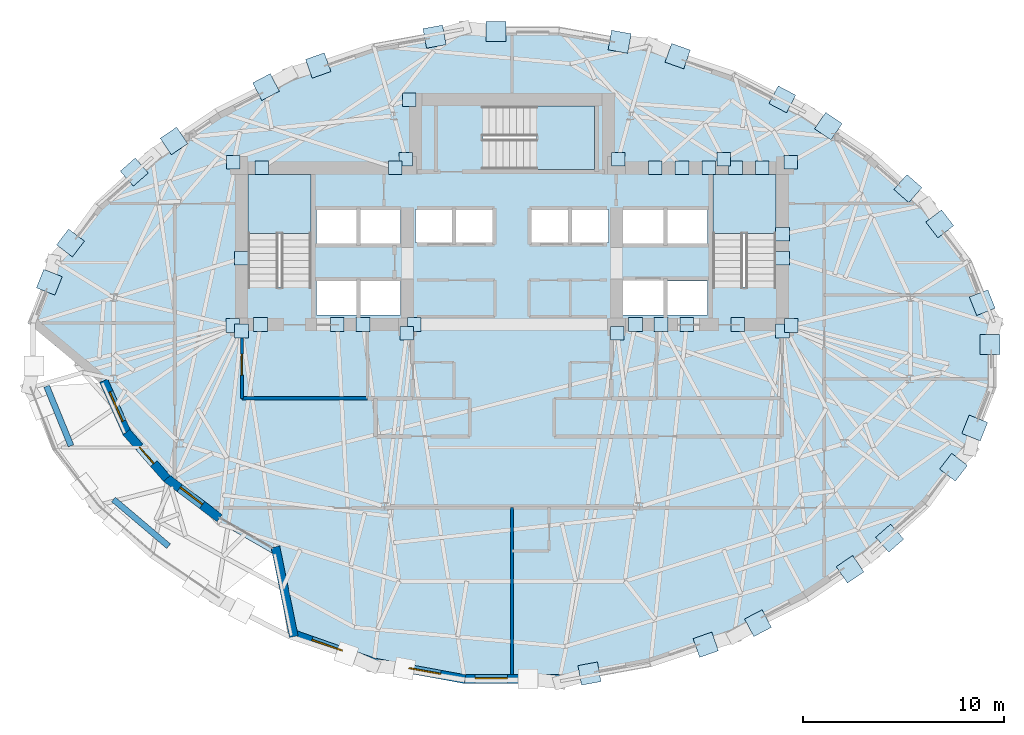
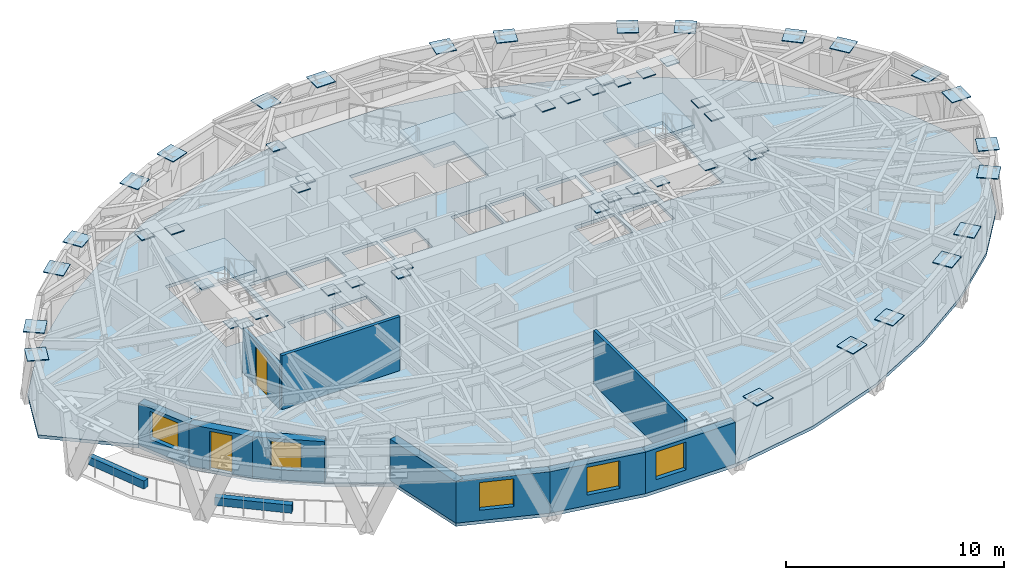
# One storey, part 6 of 15: 53 plates, 12 walls, 5 windows, 4 slabs, 2 doors, 7 openings, 3 elements without a shape of their own.
"""IFC4 building model written with IfcOpenShell, lengths in metres."""

from ifc_helpers import new_model, si_unit, direction, frame, frame_2d, origin, origin_2d, place, context, subcontext, project, spatial, polyline, rectangle, outline, extrude, material, layer, layer_set, type_object, element, fill, aggregate, save


model = new_model("IFC4")

# Units and contexts
model_context = context("Model", 3, precision=1e-05, world=origin(), true_north=direction((0.0, 1.0)))
body_context = subcontext(model_context, "Body", "Model", "MODEL_VIEW")
ifc_project = project(units=[si_unit("LENGTHUNIT", "METRE"), si_unit("AREAUNIT", "SQUARE_METRE"), si_unit("VOLUMEUNIT", "CUBIC_METRE"), si_unit("PLANEANGLEUNIT", "RADIAN"), si_unit("MASSUNIT", "GRAM", prefix="KILO")], contexts=[model_context])

# Site, building, storey
site_placement = place(None, origin())
site = spatial("IfcSite", under=ifc_project, at=site_placement, CompositionType="ELEMENT")
building_placement = place(site_placement, origin())
building = spatial("IfcBuilding", under=site, at=building_placement, Name="Keldmark Tower", CompositionType="ELEMENT")
storey_placement = place(building_placement, frame((0.0, 0.0, 195.0)))
storey = spatial("IfcBuildingStorey", under=building, at=storey_placement, Name="L54", CompositionType="ELEMENT", Elevation=195.0)

# Plates
ifc_material_1 = material(Name="Steel ASTM A572 Grade 50", Category="steel")
ifc_layer_1 = layer(ifc_material_1, 0.06005859375)
ifc_layer_set_1 = layer_set([ifc_layer_1], Name="Steel ASTM A572 Grade 50")
plate_type_1 = type_object("IfcPlateType", Name="Belt Truss Kink Node Assembly KN01 60 mm", PredefinedType="USERDEFINED", material=ifc_layer_set_1)
for number, where, z_axis, x_axis, name in (
    (1, (13.91162109375, 1.473388671875, 2.72412109375), (0.0, 0.0, 1.0), (1.0, 0.0, 0.0), "L54 Core Wall Cast-In Embed Plate 1587"),
    (2, (13.878173828125, 9.608154296875, 2.72412109375), (0.0, 0.0, 1.0), (1.0, 0.0, 0.0), "L54 Core Wall Cast-In Embed Plate 1588"),
    (3, (5.28515625, 9.758544921875, 2.72412109375), (0.0, 0.0, 1.0), (1.0, 0.0, 0.0), "L54 Core Wall Cast-In Embed Plate 1589"),
    (4, (-5.28515625, 9.758544921875, 2.72412109375), (0.0, 0.0, 1.0), (1.0, 0.0, 0.0), "L54 Core Wall Cast-In Embed Plate 1590"),
    (5, (-13.878173828125, 9.608154296875, 2.72412109375), (0.0, 0.0, 1.0), (1.0, 0.0, 0.0), "L54 Core Wall Cast-In Embed Plate 1591"),
    (6, (-13.91162109375, 1.473388671875, 2.72412109375), (0.0, 0.0, 1.0), (1.0, 0.0, 0.0), "L54 Core Wall Cast-In Embed Plate 1592"),
    (7, (-5.24072265625, 1.08251953125, 2.72412109375), (0.0, 0.0, 1.0), (1.0, 0.0, 0.0), "L54 Core Wall Cast-In Embed Plate 1593"),
    (8, (5.24072265625, 1.08251953125, 2.72412109375), (0.0, 0.0, 1.0), (1.0, 0.0, 0.0), "L54 Core Wall Cast-In Embed Plate 1594"),
    (9, (-13.47509765625, 1.199951171875, 2.72412109375), (0.0, 0.0, 1.0), (1.0, 0.0, 0.0), "L54 Core Wall Cast-In Embed Plate 1595"),
    (10, (-7.425048828125, 1.52490234375, 2.72412109375), (0.0, 0.0, 1.0), (1.0, 0.0, 0.0), "L54 Core Wall Cast-In Embed Plate 1596"),
    (11, (7.425048828125, 1.52490234375, 2.72412109375), (0.0, 0.0, 1.0), (1.0, 0.0, 0.0), "L54 Core Wall Cast-In Embed Plate 1597"),
    (12, (13.47509765625, 1.199951171875, 2.72412109375), (0.0, 0.0, 1.0), (1.0, 0.0, 0.0), "L54 Core Wall Cast-In Embed Plate 1598"),
    (13, (-8.699951171875, 1.52490234375, 2.72412109375), (0.0, 0.0, 1.0), (1.0, 0.0, 0.0), "L54 Core Wall Cast-In Embed Plate 1599"),
    (14, (13.47509765625, 4.8212890625, 2.72412109375), (0.0, 0.0, 1.0), (1.0, 0.0, 0.0), "L54 Core Wall Cast-In Embed Plate 1600"),
    (15, (13.47509765625, 6.028564453125, 2.72412109375), (0.0, 0.0, 1.0), (1.0, 0.0, 0.0), "L54 Core Wall Cast-In Embed Plate 1601"),
    (16, (9.8037109375, 9.324951171875, 2.72412109375), (0.0, 0.0, 1.0), (1.0, 0.0, 0.0), "L54 Core Wall Cast-In Embed Plate 1602"),
    (17, (10.542724609375, 9.751708984375, 2.72412109375), (0.0, 0.0, 1.0), (1.0, 0.0, 0.0), "L54 Core Wall Cast-In Embed Plate 1603"),
    (18, (7.139404296875, 9.324951171875, 2.72412109375), (0.0, 0.0, 1.0), (1.0, 0.0, 0.0), "L54 Core Wall Cast-In Embed Plate 1604"),
    (19, (12.468017578125, 9.324951171875, 2.72412109375), (0.0, 0.0, 1.0), (1.0, 0.0, 0.0), "L54 Core Wall Cast-In Embed Plate 1605"),
    (20, (-5.80712890625, 9.324951171875, 2.72412109375), (0.0, 0.0, 1.0), (1.0, 0.0, 0.0), "L54 Core Wall Cast-In Embed Plate 1606"),
    (21, (-5.125, 12.72509765625, 2.72412109375), (0.0, 0.0, 1.0), (1.0, 0.0, 0.0), "L54 Core Wall Cast-In Embed Plate 1607"),
    (22, (-13.47509765625, 4.8212890625, 2.72412109375), (0.0, 0.0, 1.0), (1.0, 0.0, 0.0), "L54 Core Wall Cast-In Embed Plate 1608"),
    (23, (-12.52490234375, 1.52490234375, 2.72412109375), (0.0, 0.0, 1.0), (1.0, 0.0, 0.0), "L54 Core Wall Cast-In Embed Plate 1609"),
    (24, (-4.875, 1.52490234375, 2.72412109375), (0.0, 0.0, 1.0), (1.0, 0.0, 0.0), "L54 Core Wall Cast-In Embed Plate 1610"),
    (25, (6.14990234375, 1.52490234375, 2.72412109375), (0.0, 0.0, 1.0), (1.0, 0.0, 0.0), "L54 Core Wall Cast-In Embed Plate 1611"),
    (26, (8.699951171875, 1.52490234375, 2.72412109375), (0.0, 0.0, 1.0), (1.0, 0.0, 0.0), "L54 Core Wall Cast-In Embed Plate 1612"),
    (27, (11.25, 1.52490234375, 2.72412109375), (0.0, 0.0, 1.0), (1.0, 0.0, 0.0), "L54 Core Wall Cast-In Embed Plate 1613"),
    (28, (11.1357421875, 9.324951171875, 2.72412109375), (0.0, 0.0, 1.0), (1.0, 0.0, 0.0), "L54 Core Wall Cast-In Embed Plate 1614"),
    (29, (8.471435546875, 9.324951171875, 2.72412109375), (0.0, 0.0, 1.0), (1.0, 0.0, 0.0), "L54 Core Wall Cast-In Embed Plate 1615"),
    (30, (-12.468017578125, 9.324951171875, 2.72412109375), (0.0, 0.0, 1.0), (1.0, 0.0, 0.0), "L54 Core Wall Cast-In Embed Plate 1616"),
):
    element("IfcPlate", number, at=place(storey_placement, frame(where, z_axis=z_axis, x_axis=x_axis)), inside=storey, type_object=plate_type_1, Name=name, ObjectType="CAP PLATE", PredefinedType="USERDEFINED", context=body_context, shape_type="SweptSolid", body=[
        extrude(rectangle(XDim=0.679931640625, YDim=0.679931640625, at=origin_2d()), origin(), (0.0, 0.0, 1.0), 0.054931640625),
    ])
ifc_material_2 = material(Name="Steel ASTM A572 Grade 50", Category="steel")
ifc_layer_2 = layer(ifc_material_2, 0.044921875)
ifc_layer_set_2 = layer_set([ifc_layer_2], Name="Steel ASTM A572 Grade 50")
plate_type_2 = type_object("IfcPlateType", Name="Diagrid Node Assembly DN04 45 mm", PredefinedType="USERDEFINED", material=ifc_layer_set_2)
for number, where, z_axis, x_axis, name in (
    (31, (23.425048828125, 2.6142578125, 2.87744140625), (0.0, 0.0, 1.0), (-0.369584587417, 0.929197090365, 0.0), "L54 Diagrid Node Assembly 01"),
    (32, (21.306396484375, 6.537109375, 2.87744140625), (0.0, 0.0, 1.0), (-0.608622953458, 0.79345957712, 0.0), "L54 Diagrid Node Assembly 02"),
    (33, (19.718994140625, 8.29736328125, 2.87744140625), (0.0, 0.0, 1.0), (-0.751954873581, 0.659214584257, 0.0), "L54 Diagrid Node Assembly 03"),
    (34, (15.75732421875, 11.40380859375, 2.87744140625), (0.0, 0.0, 1.0), (-0.827668733006, 0.561216953062, 0.0), "L54 Diagrid Node Assembly 04"),
    (35, (13.467529296875, 12.740478515625, 2.87744140625), (0.0, 0.0, 1.0), (-0.885717930931, 0.464223811138, 0.0), "L54 Diagrid Node Assembly 05"),
    (36, (8.252685546875, 14.892578125, 2.87744140625), (0.0, 0.0, 1.0), (-0.943106654378, 0.33249035846, 0.0), "L54 Diagrid Node Assembly 06"),
    (37, (5.36181640625, 15.60693359375, 2.87744140625), (0.0, 0.0, 1.0), (-0.983697257251, 0.179832438891, 0.0), "L54 Diagrid Node Assembly 07"),
    (38, (-0.789306640625, 16.119384765625, 2.87744140625), (0.0, 0.0, 1.0), (-1.0, 0.0, 0.0), "L54 Diagrid Node Assembly 08"),
    (39, (-3.85888671875, 15.862060546875, 2.87744140625), (0.0, 0.0, 1.0), (-0.983697257251, -0.179832438891, 0.0), "L54 Diagrid Node Assembly 09"),
    (40, (-9.650634765625, 14.426513671875, 2.87744140625), (0.0, 0.0, 1.0), (-0.943106654378, -0.33249035846, 0.0), "L54 Diagrid Node Assembly 10"),
    (41, (-12.252197265625, 13.351806640625, 2.87744140625), (0.0, 0.0, 1.0), (-0.885717930931, -0.464223811138, 0.0), "L54 Diagrid Node Assembly 11"),
    (42, (-16.83837890625, 10.66796875, 2.87744140625), (0.0, 0.0, 1.0), (-0.827668733006, -0.561216953062, 0.0), "L54 Diagrid Node Assembly 12"),
    (43, (-18.814208984375, 9.118408203125, 2.87744140625), (0.0, 0.0, 1.0), (-0.751954873581, -0.659214584257, 0.0), "L54 Diagrid Node Assembly 13"),
    (44, (-21.99169921875, 5.5859375, 2.87744140625), (0.0, 0.0, 1.0), (-0.608622953458, -0.79345957712, 0.0), "L54 Diagrid Node Assembly 14"),
    (45, (-23.047607421875, 3.629638671875, 2.87744140625), (0.0, 0.0, 1.0), (-0.369584587417, -0.929197090365, 0.0), "L54 Diagrid Node Assembly 15"),
    (46, (3.85888671875, -15.862060546875, 2.87744140625), (0.0, 0.0, 1.0), (0.983697257251, 0.179832438891, 0.0), "L54 Diagrid Node Assembly 25"),
    (47, (9.650634765625, -14.426513671875, 2.87744140625), (0.0, 0.0, 1.0), (0.943106654378, 0.33249035846, 0.0), "L54 Diagrid Node Assembly 26"),
    (48, (12.252197265625, -13.351806640625, 2.87744140625), (0.0, 0.0, 1.0), (0.885717930931, 0.464223811138, 0.0), "L54 Diagrid Node Assembly 27"),
    (49, (16.83837890625, -10.66796875, 2.87744140625), (0.0, 0.0, 1.0), (0.827668733006, 0.561216953062, 0.0), "L54 Diagrid Node Assembly 28"),
    (50, (18.814208984375, -9.118408203125, 2.87744140625), (0.0, 0.0, 1.0), (0.751954873581, 0.659214584257, 0.0), "L54 Diagrid Node Assembly 29"),
    (51, (21.99169921875, -5.5859375, 2.87744140625), (0.0, 0.0, 1.0), (0.608622953458, 0.79345957712, 0.0), "L54 Diagrid Node Assembly 30"),
    (52, (23.047607421875, -3.629638671875, 2.87744140625), (0.0, 0.0, 1.0), (0.369584587417, 0.929197090365, 0.0), "L54 Diagrid Node Assembly 31"),
    (53, (23.8046875, 0.537109375, 2.87744140625), (0.0, 0.0, 1.0), (0.0, 1.0, 0.0), "L54 Diagrid Node Assembly 32"),
):
    element("IfcPlate", number, at=place(storey_placement, frame(where, z_axis=z_axis, x_axis=x_axis)), inside=storey, type_object=plate_type_2, Name=name, ObjectType="GUSSET", PredefinedType="USERDEFINED", context=body_context, shape_type="SweptSolid", body=[
        extrude(rectangle(XDim=0.989990234375, YDim=0.989990234375, at=origin_2d()), origin(), (0.0, 0.0, 1.0), 0.044921875),
    ])

# Slab
ifc_material_3 = material(Name="Concrete C35/45", Category="concrete")
ifc_layer_3 = layer(ifc_material_3, 0.179931640625)
ifc_layer_set_3 = layer_set([ifc_layer_3], Name="Concrete C35/45")
slab_type_1 = type_object("IfcSlabType", Name="Hotel and Residential Slab 180 mm", PredefinedType="FLOOR", material=ifc_layer_set_3)
slab_1_placement = place(storey_placement, frame((0.0, 0.0, -0.179931640625)))
element("IfcSlab", 54, at=slab_1_placement, inside=storey, type_object=slab_type_1, Name="L54 Composite Structural Floor Slab", PredefinedType="FLOOR", context=body_context, shape_type="SweptSolid", body=[
    extrude(outline(polyline([(24.12890625, 1.611083984375), (22.896484375, 4.708740234375), (20.742919921875, 7.5166015625), (17.934814453125, 9.978759765625), (14.71875, 12.1591796875), (11.08740234375, 14.062744140625), (6.945556640625, 15.52294921875), (2.37646484375, 16.3583984375), (-2.37646484375, 16.3583984375), (-6.945556640625, 15.52294921875), (-11.08740234375, 14.062744140625), (-14.71875, 12.1591796875), (-17.934814453125, 9.978759765625), (-20.742919921875, 7.5166015625), (-22.896484375, 4.708740234375), (-24.12890625, 1.611083984375), (-20.536865234375, -1.371337890625), (-19.370361328125, -3.983642578125), (-17.3583984375, -6.290283203125), (-14.7890625, -8.228515625), (-11.943359375, -9.8662109375), (-11.08740234375, -14.062744140625), (-6.945556640625, -15.52294921875), (-2.37646484375, -16.3583984375), (2.37646484375, -16.3583984375), (6.945556640625, -15.52294921875), (11.08740234375, -14.062744140625), (14.71875, -12.1591796875), (17.934814453125, -9.978759765625), (20.742919921875, -7.5166015625), (22.896484375, -4.708740234375), (24.12890625, -1.611083984375), (24.12890625, 1.611083984375)]), holes=[polyline([(-10.0, 3.385009765625), (-10.0, 9.0), (-13.14990234375, 9.0), (-13.14990234375, 3.385009765625), (-10.0, 3.385009765625)]), polyline([(13.14990234375, 3.385009765625), (13.14990234375, 9.0), (10.0, 9.0), (10.0, 3.385009765625), (13.14990234375, 3.385009765625)]), polyline([(-1.43994140625, 9.25), (4.10498046875, 9.25), (4.10498046875, 12.39990234375), (-1.43994140625, 12.39990234375), (-1.43994140625, 9.25)]), polyline([(-9.75, 2.0), (-7.75, 2.0), (-7.75, 3.699951171875), (-9.75, 3.699951171875), (-9.75, 2.0)]), polyline([(7.75, 2.0), (9.75, 2.0), (9.75, 3.699951171875), (7.75, 3.699951171875), (7.75, 2.0)]), polyline([(5.449951171875, 2.0), (7.550048828125, 2.0), (7.550048828125, 3.75), (5.449951171875, 3.75), (5.449951171875, 2.0)]), polyline([(-4.800048828125, 5.60009765625), (-2.949951171875, 5.60009765625), (-2.949951171875, 7.25), (-4.800048828125, 7.25), (-4.800048828125, 5.60009765625)]), polyline([(-2.800048828125, 5.60009765625), (-0.949951171875, 5.60009765625), (-0.949951171875, 7.25), (-2.800048828125, 7.25), (-2.800048828125, 5.60009765625)]), polyline([(0.949951171875, 5.60009765625), (2.800048828125, 5.60009765625), (2.800048828125, 7.25), (0.949951171875, 7.25), (0.949951171875, 5.60009765625)]), polyline([(2.949951171875, 5.60009765625), (4.800048828125, 5.60009765625), (4.800048828125, 7.25), (2.949951171875, 7.25), (2.949951171875, 5.60009765625)]), polyline([(-9.75, 5.550048828125), (-7.75, 5.550048828125), (-7.75, 7.25), (-9.75, 7.25), (-9.75, 5.550048828125)]), polyline([(-7.550048828125, 5.550048828125), (-5.550048828125, 5.550048828125), (-5.550048828125, 7.25), (-7.550048828125, 7.25), (-7.550048828125, 5.550048828125)]), polyline([(-7.550048828125, 2.0), (-5.550048828125, 2.0), (-5.550048828125, 3.699951171875), (-7.550048828125, 3.699951171875), (-7.550048828125, 2.0)]), polyline([(5.449951171875, 5.550048828125), (7.550048828125, 5.550048828125), (7.550048828125, 7.25), (5.449951171875, 7.25), (5.449951171875, 5.550048828125)]), polyline([(7.75, 5.550048828125), (9.75, 5.550048828125), (9.75, 7.25), (7.75, 7.25), (7.75, 5.550048828125)])]), origin(), (0.0, 0.0, 1.0), 0.179931640625),
])

# Stair, slab
ifc_material_4 = material(Name="Concrete C40/50", Category="concrete")
stair_type = type_object("IfcStairType", Name="Precast Concrete Core Exit Stair", PredefinedType="HALF_TURN_STAIR", material=ifc_material_4)
stair_1_placement = place(storey_placement, origin())
stair_1 = element("IfcStair", 55, at=stair_1_placement, inside=storey, type_object=stair_type, Name="L54 Exit Stair ST1", PredefinedType="HALF_TURN_STAIR")
ifc_material_5 = material(Name="Concrete C40/50", Category="concrete")
ifc_layer_4 = layer(ifc_material_5, 0.199951171875)
ifc_layer_set_4 = layer_set([ifc_layer_4], Name="Concrete C40/50")
slab_type_2 = type_object("IfcSlabType", Name="Reinforced Concrete Stair Landing 200 mm", PredefinedType="LANDING", material=ifc_layer_set_4)
slab_2_placement = place(storey_placement, frame((0.0, 0.0, 1.39990234375)))
slab_2 = element("IfcSlab", 56, at=slab_2_placement, type_object=slab_type_2, Name="ST1 landing 1", PredefinedType="LANDING", context=body_context, shape_type="SweptSolid", body=[
    extrude(outline(polyline([(-10.0, 6.050048828125), (-10.0, 9.0), (-13.14990234375, 9.0), (-13.14990234375, 6.050048828125), (-10.0, 6.050048828125)])), origin(), (0.0, 0.0, 1.0), 0.2001953125),
])
aggregate(stair_1, [slab_2])

stair_2_placement = place(storey_placement, origin())
stair_2 = element("IfcStair", 57, at=stair_2_placement, inside=storey, type_object=stair_type, Name="L54 Exit Stair ST2", PredefinedType="HALF_TURN_STAIR")
slab_3_placement = place(storey_placement, frame((0.0, 0.0, 1.39990234375)))
slab_3 = element("IfcSlab", 58, at=slab_3_placement, type_object=slab_type_2, Name="ST2 landing 1", PredefinedType="LANDING", context=body_context, shape_type="SweptSolid", body=[
    extrude(outline(polyline([(13.14990234375, 6.050048828125), (13.14990234375, 9.0), (10.0, 9.0), (10.0, 6.050048828125), (13.14990234375, 6.050048828125)])), origin(), (0.0, 0.0, 1.0), 0.2001953125),
])
aggregate(stair_2, [slab_3])

stair_3_placement = place(storey_placement, origin())
stair_3 = element("IfcStair", 59, at=stair_3_placement, inside=storey, type_object=stair_type, Name="L54 Exit Stair ST3", PredefinedType="HALF_TURN_STAIR")
slab_4_placement = place(storey_placement, frame((0.0, 0.0, 1.39990234375)))
slab_4 = element("IfcSlab", 60, at=slab_4_placement, type_object=slab_type_2, Name="ST3 landing 1", PredefinedType="LANDING", context=body_context, shape_type="SweptSolid", body=[
    extrude(outline(polyline([(1.22509765625, 9.25), (4.10498046875, 9.25), (4.10498046875, 12.39990234375), (1.22509765625, 12.39990234375), (1.22509765625, 9.25)])), origin(), (0.0, 0.0, 1.0), 0.2001953125),
])
aggregate(stair_3, [slab_4])

# Wall
ifc_material_6 = material(Name="Type X Fire-Rated Gypsum Partition Assembly", Category="gypsum")
ifc_layer_5 = layer(ifc_material_6, 0.1650390625)
ifc_layer_set_5 = layer_set([ifc_layer_5], Name="Type X Fire-Rated Gypsum Partition Assembly")
wall_type_1 = type_object("IfcWallType", Name="Rated Partition 165 mm", PredefinedType="PARTITIONING", material=ifc_layer_set_5)
wall_1_placement = place(storey_placement, frame((-13.449951171875, -2.14990234375, 0.0), z_axis=(0.0, 0.0, 1.0), x_axis=(1.0, 0.0, 0.0)))
element("IfcWall", 61, at=wall_1_placement, inside=storey, type_object=wall_type_1, Name="L54 Rated Partition 165 mm FSAE-W-S", PredefinedType="PARTITIONING", context=body_context, shape_type="SweptSolid", body=[
    extrude(rectangle(XDim=6.25, YDim=0.1650390625, at=frame_2d((3.125, 0.0))), origin(), (0.0, 0.0, 1.0), 3.02001953125),
])

# Wall, opening, door
wall_2_placement = place(storey_placement, frame((-13.449951171875, -2.14990234375, 0.0), z_axis=(0.0, 0.0, 1.0), x_axis=(0.0, 1.0, 0.0)))
wall_2 = element("IfcWall", 62, at=wall_2_placement, inside=storey, type_object=wall_type_1, Name="L54 Rated Partition 165 mm FSAE-W-W", PredefinedType="PARTITIONING", context=body_context, shape_type="SweptSolid", body=[
    extrude(rectangle(XDim=3.39990234375, YDim=0.1650390625, at=frame_2d((1.699951171875, 0.0))), origin(), (0.0, 0.0, 1.0), 2.472900390625),
])
opening_1_placement = place(wall_2_placement, frame((1.14990234375, 0.0, 0.0)))
opening_1 = element("IfcOpeningElement", 63, at=opening_1_placement, cuts=wall_2, Name="Opening D-FL105", PredefinedType="OPENING", context=body_context, shape_type="SweptSolid", body=[
    extrude(rectangle(XDim=1.050048828125, YDim=2.14990234375, at=frame_2d((0.52490234375, 1.074951171875))), frame((0.0, 0.092529296875, 0.0), z_axis=(0.0, -1.0, 0.0), x_axis=(1.0, 0.0, 0.0)), (0.0, 0.0, 1.0), 0.18505859375),
])
ifc_material_7 = material(Name="Fire-Rated Mineral-Core Door and Vision Lite", Category="metal")
door_type_1 = type_object("IfcDoorType", Name="Fire Lobby Door 1050x2150", OperationType="NOTDEFINED", PredefinedType="DOOR", material=ifc_material_7)
door_1_placement = place(opening_1_placement, origin())
door_1 = element("IfcDoor", 64, at=door_1_placement, inside=storey, type_object=door_type_1, Name="L54 Fire Lobby Door 1050x2150 D-FSAEW-OUT-L54", OperationType="SINGLE_SWING_LEFT", OverallHeight=2.14990234375, OverallWidth=1.050048828125, PredefinedType="DOOR", context=body_context, shape_type="SweptSolid", body=[
    extrude(rectangle(XDim=1.050048828125, YDim=2.14990234375, at=frame_2d((0.52490234375, 1.074951171875))), frame((0.0, 0.02490234375, 0.0), z_axis=(0.0, -1.0, 0.0), x_axis=(1.0, 0.0, 0.0)), (0.0, 0.0, 1.0), 0.050048828125),
])
fill(opening_1, door_1)

# Walls
ifc_material_8 = material(Name="Ironspot Manganese Brick Planter Masonry", Category="masonry")
ifc_layer_6 = layer(ifc_material_8, 0.300048828125)
ifc_layer_set_6 = layer_set([ifc_layer_6], Name="Ironspot Manganese Brick Planter Masonry")
wall_type_2 = type_object("IfcWallType", Name="Terrace Brick Planter Kerb Wall 300 mm", PredefinedType="PARAPET", material=ifc_layer_set_6)
wall_3_placement = place(storey_placement, frame((-23.180908203125, -1.5478515625, 0.0), z_axis=(0.0, 0.0, 1.0), x_axis=(0.378647660586, -0.92554089544, 0.0)))
element("IfcWall", 65, at=wall_3_placement, inside=storey, type_object=wall_type_2, Name="L54 Sky Garden Planter 01", PredefinedType="PARAPET", context=body_context, shape_type="SweptSolid", body=[
    extrude(rectangle(XDim=3.20849609375, YDim=0.300048828125, at=frame_2d((1.604248046875, 0.0))), origin(), (0.0, 0.0, 1.0), 0.449951171875),
])
wall_4_placement = place(storey_placement, frame((-19.849609375, -7.193115234375, 0.0), z_axis=(0.0, 0.0, 1.0), x_axis=(0.763229191338, -0.646127852278, 0.0)))
element("IfcWall", 66, at=wall_4_placement, inside=storey, type_object=wall_type_2, Name="L54 Sky Garden Planter 03", PredefinedType="PARAPET", context=body_context, shape_type="SweptSolid", body=[
    extrude(rectangle(XDim=3.596435546875, YDim=0.300048828125, at=frame_2d((1.79833984375, 0.0))), origin(), (0.0, 0.0, 1.0), 0.449951171875),
])

# Wall, opening, window
ifc_material_9 = material(Name="Ironspot Manganese Brick and Kasota Buff Limestone Spandrel Assembly", Category="masonry")
ifc_layer_7 = layer(ifc_material_9, 0.43994140625)
ifc_layer_set_7 = layer_set([ifc_layer_7], Name="Ironspot Manganese Brick and Kasota Buff Limestone Spandrel Assembly")
wall_type_3 = type_object("IfcWallType", Name="Tower Brick Pier and Spandrel Wall 440 mm", PredefinedType="STANDARD", material=ifc_layer_set_7)
wall_5_placement = place(storey_placement, frame((-19.16943359375, -3.893798828125, 0.0), z_axis=(0.0, 0.0, 1.0), x_axis=(-0.407737241354, 0.913099305669, 0.0)))
wall_5 = element("IfcWall", 67, at=wall_5_placement, inside=storey, type_object=wall_type_3, Name="L54 Exterior Brick and Spandrel Wall 17", PredefinedType="STANDARD", context=body_context, shape_type="SweptSolid", body=[
    extrude(rectangle(XDim=2.86083984375, YDim=0.43994140625, at=frame_2d((1.430419921875, 0.0))), origin(), (0.0, 0.0, 1.0), 2.319091796875),
])
opening_2_placement = place(wall_5_placement, frame((0.630615234375, 0.0, 0.580078125)))
opening_2 = element("IfcOpeningElement", 68, at=opening_2_placement, cuts=wall_5, Name="Opening W-04", PredefinedType="OPENING", context=body_context, shape_type="SweptSolid", body=[
    extrude(rectangle(XDim=1.60009765625, YDim=1.550048828125, at=frame_2d((0.800048828125, 0.77490234375))), frame((0.0, 0.22998046875, 0.0), z_axis=(0.0, -1.0, 0.0), x_axis=(1.0, 0.0, 0.0)), (0.0, 0.0, 1.0), 0.4599609375),
])
ifc_material_10 = material(Name="Thermally Broken Anodized Aluminum and Triple Low-E Argon Glazing", Category="aluminium")
window_type_1 = type_object("IfcWindowType", Name="Hotel Deep-Set Operable Window 1600x1550", PartitioningType="DOUBLE_PANEL_HORIZONTAL", PredefinedType="WINDOW", material=ifc_material_10)
window_1_placement = place(opening_2_placement, origin())
window_1 = element("IfcWindow", 69, at=window_1_placement, inside=storey, type_object=window_type_1, Name="L54 Deep-Set Window 17", OverallHeight=1.550048828125, OverallWidth=1.60009765625, PartitioningType="SINGLE_PANEL", PredefinedType="WINDOW", context=body_context, shape_type="SweptSolid", body=[
    extrude(rectangle(XDim=1.60009765625, YDim=1.550048828125, at=frame_2d((0.800048828125, 0.77490234375))), frame((0.0, -0.010009765625, 0.0), z_axis=(0.0, -1.0, 0.0), x_axis=(1.0, 0.0, 0.0)), (0.0, 0.0, 1.0), 0.06005859375),
])
fill(opening_2, window_1)

# Wall, opening, door
wall_6_placement = place(storey_placement, frame((-17.1923828125, -6.1455078125, 0.0), z_axis=(0.0, 0.0, 1.0), x_axis=(-0.657414046034, 0.753529542936, 0.0)))
wall_6 = element("IfcWall", 70, at=wall_6_placement, inside=storey, type_object=wall_type_3, Name="L54 Exterior Brick and Spandrel Wall 18", PredefinedType="STANDARD", context=body_context, shape_type="SweptSolid", body=[
    extrude(rectangle(XDim=3.060791015625, YDim=0.43994140625, at=frame_2d((1.5302734375, 0.0))), origin(), (0.0, 0.0, 1.0), 2.319091796875),
])
opening_3_placement = place(wall_6_placement, frame((0.98046875, 0.0, 0.0)))
opening_3 = element("IfcOpeningElement", 71, at=opening_3_placement, cuts=wall_6, Name="Opening TD-01", PredefinedType="OPENING", context=body_context, shape_type="SweptSolid", body=[
    extrude(rectangle(XDim=1.10009765625, YDim=2.14990234375, at=frame_2d((0.550048828125, 1.074951171875))), frame((0.0, 0.22998046875, 0.0), z_axis=(0.0, -1.0, 0.0), x_axis=(1.0, 0.0, 0.0)), (0.0, 0.0, 1.0), 0.4599609375),
])
ifc_material_11 = material(Name="Thermally Broken Painted Aluminum and Laminated Safety Glass", Category="aluminium")
door_type_2 = type_object("IfcDoorType", Name="Sky Garden Terrace Glazed Door 1100x2150", OperationType="SINGLE_SWING_LEFT", PredefinedType="DOOR", material=ifc_material_11)
door_2_placement = place(opening_3_placement, origin())
door_2 = element("IfcDoor", 72, at=door_2_placement, inside=storey, type_object=door_type_2, Name="L54 Sky-Garden Terrace Door 18", OperationType="SINGLE_SWING_LEFT", OverallHeight=2.14990234375, OverallWidth=1.10009765625, PredefinedType="DOOR", context=body_context, shape_type="SweptSolid", body=[
    extrude(rectangle(XDim=1.10009765625, YDim=2.14990234375, at=frame_2d((0.550048828125, 1.074951171875))), frame((0.0, 0.02490234375, 0.0), z_axis=(0.0, -1.0, 0.0), x_axis=(1.0, 0.0, 0.0)), (0.0, 0.0, 1.0), 0.050048828125),
])
fill(opening_3, door_2)

# Wall, opening, window
wall_7_placement = place(storey_placement, frame((-14.564697265625, -8.1220703125, 0.0), z_axis=(0.0, 0.0, 1.0), x_axis=(-0.798309400522, 0.60224754133, 0.0)))
wall_7 = element("IfcWall", 73, at=wall_7_placement, inside=storey, type_object=wall_type_3, Name="L54 Exterior Brick and Spandrel Wall 19", PredefinedType="STANDARD", context=body_context, shape_type="SweptSolid", body=[
    extrude(rectangle(XDim=3.33349609375, YDim=0.43994140625, at=frame_2d((1.666748046875, 0.0))), origin(), (0.0, 0.0, 1.0), 2.319091796875),
])
opening_4_placement = place(wall_7_placement, frame((1.09033203125, 0.0, 0.580078125)))
opening_4 = element("IfcOpeningElement", 74, at=opening_4_placement, cuts=wall_7, Name="Opening W-08", PredefinedType="OPENING", context=body_context, shape_type="SweptSolid", body=[
    extrude(rectangle(XDim=1.39990234375, YDim=1.550048828125, at=frame_2d((0.699951171875, 0.77490234375))), frame((0.0, 0.22998046875, 0.0), z_axis=(0.0, -1.0, 0.0), x_axis=(1.0, 0.0, 0.0)), (0.0, 0.0, 1.0), 0.4599609375),
])
ifc_material_12 = material(Name="Thermally Broken Anodized Aluminum and Triple Low-E Argon Glazing", Category="aluminium")
window_type_2 = type_object("IfcWindowType", Name="Residential Corner Punched Window 1400x1550", PartitioningType="SINGLE_PANEL", PredefinedType="WINDOW", material=ifc_material_12)
window_2_placement = place(opening_4_placement, origin())
window_2 = element("IfcWindow", 75, at=window_2_placement, inside=storey, type_object=window_type_2, Name="L54 Deep-Set Window 19", OverallHeight=1.550048828125, OverallWidth=1.39990234375, PartitioningType="SINGLE_PANEL", PredefinedType="WINDOW", context=body_context, shape_type="SweptSolid", body=[
    extrude(rectangle(XDim=1.39990234375, YDim=1.550048828125, at=frame_2d((0.699951171875, 0.77490234375))), frame((0.0, -0.010009765625, 0.0), z_axis=(0.0, -1.0, 0.0), x_axis=(1.0, 0.0, 0.0)), (0.0, 0.0, 1.0), 0.06005859375),
])
fill(opening_4, window_2)

# Wall
wall_8_placement = place(storey_placement, frame((-10.87158203125, -14.018798828125, 0.0), z_axis=(0.0, 0.0, 1.0), x_axis=(-0.199894948529, 0.979817334789, 0.0)))
element("IfcWall", 76, at=wall_8_placement, inside=storey, type_object=wall_type_3, Name="L54 Exterior Brick and Spandrel Wall 21", PredefinedType="STANDARD", context=body_context, shape_type="SweptSolid", body=[
    extrude(rectangle(XDim=4.55810546875, YDim=0.43994140625, at=frame_2d((2.279052734375, 0.0))), origin(), (0.0, 0.0, 1.0), 2.319091796875),
])

# Wall, opening, window
wall_9_placement = place(storey_placement, frame((-6.87255859375, -15.3154296875, 0.0), z_axis=(0.0, 0.0, 1.0), x_axis=(-0.943100102185, 0.332508943125, 0.0)))
wall_9 = element("IfcWall", 77, at=wall_9_placement, inside=storey, type_object=wall_type_3, Name="L54 Exterior Brick and Spandrel Wall 22", PredefinedType="STANDARD", context=body_context, shape_type="SweptSolid", body=[
    extrude(rectangle(XDim=4.391357421875, YDim=0.43994140625, at=frame_2d((2.19580078125, 0.0))), origin(), (0.0, 0.0, 1.0), 2.31494140625),
])
opening_5_placement = place(wall_9_placement, frame((1.694580078125, 0.0, 0.580078125)))
opening_5 = element("IfcOpeningElement", 78, at=opening_5_placement, cuts=wall_9, Name="Opening W-04", PredefinedType="OPENING", context=body_context, shape_type="SweptSolid", body=[
    extrude(rectangle(XDim=1.60009765625, YDim=1.550048828125, at=frame_2d((0.800048828125, 0.77490234375))), frame((0.0, 0.22998046875, 0.0), z_axis=(0.0, -1.0, 0.0), x_axis=(1.0, 0.0, 0.0)), (0.0, 0.0, 1.0), 0.4599609375),
])
window_3_placement = place(opening_5_placement, origin())
window_3 = element("IfcWindow", 79, at=window_3_placement, inside=storey, type_object=window_type_1, Name="L54 Deep-Set Window 22", OverallHeight=1.550048828125, OverallWidth=1.60009765625, PartitioningType="SINGLE_PANEL", PredefinedType="WINDOW", context=body_context, shape_type="SweptSolid", body=[
    extrude(rectangle(XDim=1.60009765625, YDim=1.550048828125, at=frame_2d((0.800048828125, 0.77490234375))), frame((0.0, -0.010009765625, 0.0), z_axis=(0.0, -1.0, 0.0), x_axis=(1.0, 0.0, 0.0)), (0.0, 0.0, 1.0), 0.06005859375),
])
fill(opening_5, window_3)

wall_10_placement = place(storey_placement, frame((-2.3369140625, -16.141845703125, 0.0), z_axis=(0.0, 0.0, 1.0), x_axis=(-0.983691132349, 0.179865939348, 0.0)))
wall_10 = element("IfcWall", 80, at=wall_10_placement, inside=storey, type_object=wall_type_3, Name="L54 Exterior Brick and Spandrel Wall 23", PredefinedType="STANDARD", context=body_context, shape_type="SweptSolid", body=[
    extrude(rectangle(XDim=4.644775390625, YDim=0.43994140625, at=frame_2d((2.322265625, 0.0))), origin(), (0.0, 0.0, 1.0), 2.31494140625),
])
opening_6_placement = place(wall_10_placement, frame((1.248046875, 0.0, 0.580078125)))
opening_6 = element("IfcOpeningElement", 81, at=opening_6_placement, cuts=wall_10, Name="Opening W-04", PredefinedType="OPENING", context=body_context, shape_type="SweptSolid", body=[
    extrude(rectangle(XDim=1.60009765625, YDim=1.550048828125, at=frame_2d((0.800048828125, 0.77490234375))), frame((0.0, 0.22998046875, 0.0), z_axis=(0.0, -1.0, 0.0), x_axis=(1.0, 0.0, 0.0)), (0.0, 0.0, 1.0), 0.4599609375),
])
window_4_placement = place(opening_6_placement, origin())
window_4 = element("IfcWindow", 82, at=window_4_placement, inside=storey, type_object=window_type_1, Name="L54 Deep-Set Window 23", OverallHeight=1.550048828125, OverallWidth=1.60009765625, PartitioningType="SINGLE_PANEL", PredefinedType="WINDOW", context=body_context, shape_type="SweptSolid", body=[
    extrude(rectangle(XDim=1.60009765625, YDim=1.550048828125, at=frame_2d((0.800048828125, 0.77490234375))), frame((0.0, -0.010009765625, 0.0), z_axis=(0.0, -1.0, 0.0), x_axis=(1.0, 0.0, 0.0)), (0.0, 0.0, 1.0), 0.06005859375),
])
fill(opening_6, window_4)

wall_11_placement = place(storey_placement, frame((2.37646484375, -16.13818359375, 0.0), z_axis=(0.0, 0.0, 1.0), x_axis=(-1.0, 0.0, 0.0)))
wall_11 = element("IfcWall", 83, at=wall_11_placement, inside=storey, type_object=wall_type_3, Name="L54 Exterior Brick and Spandrel Wall 24", PredefinedType="STANDARD", context=body_context, shape_type="SweptSolid", body=[
    extrude(rectangle(XDim=4.7529296875, YDim=0.43994140625, at=frame_2d((2.37646484375, 0.0))), origin(), (0.0, 0.0, 1.0), 2.31494140625),
])
opening_7_placement = place(wall_11_placement, frame((2.60888671875, 0.0, 0.580078125)))
opening_7 = element("IfcOpeningElement", 84, at=opening_7_placement, cuts=wall_11, Name="Opening W-04", PredefinedType="OPENING", context=body_context, shape_type="SweptSolid", body=[
    extrude(rectangle(XDim=1.60009765625, YDim=1.550048828125, at=frame_2d((0.800048828125, 0.77490234375))), frame((0.0, 0.22998046875, 0.0), z_axis=(0.0, -1.0, 0.0), x_axis=(1.0, 0.0, 0.0)), (0.0, 0.0, 1.0), 0.4599609375),
])
window_5_placement = place(opening_7_placement, origin())
window_5 = element("IfcWindow", 85, at=window_5_placement, inside=storey, type_object=window_type_1, Name="L54 Deep-Set Window 24", OverallHeight=1.550048828125, OverallWidth=1.60009765625, PartitioningType="SINGLE_PANEL", PredefinedType="WINDOW", context=body_context, shape_type="SweptSolid", body=[
    extrude(rectangle(XDim=1.60009765625, YDim=1.550048828125, at=frame_2d((0.800048828125, 0.77490234375))), frame((0.0, -0.010009765625, 0.0), z_axis=(0.0, -1.0, 0.0), x_axis=(1.0, 0.0, 0.0)), (0.0, 0.0, 1.0), 0.06005859375),
])
fill(opening_7, window_5)

# Wall
ifc_material_13 = material(Name="Moisture-Resistant Gypsum Plumbing Partition", Category="gypsum")
ifc_layer_8 = layer(ifc_material_13, 0.14990234375)
ifc_layer_set_8 = layer_set([ifc_layer_8], Name="Moisture-Resistant Gypsum Plumbing Partition")
wall_type_4 = type_object("IfcWallType", Name="Wet Wall 150 mm", PredefinedType="PLUMBINGWALL", material=ifc_layer_set_8)
wall_12_placement = place(storey_placement, frame((0.0, -15.910400390625, 0.0), z_axis=(0.0, 0.0, 1.0), x_axis=(0.0, 1.0, 0.0)))
element("IfcWall", 86, at=wall_12_placement, inside=storey, type_object=wall_type_4, Name="L54 Wet Wall 150 mm HS-DIV-1", PredefinedType="PLUMBINGWALL", context=body_context, shape_type="SweptSolid", body=[
    extrude(rectangle(XDim=8.310302734375, YDim=0.14990234375, at=frame_2d((4.1552734375, 0.0))), origin(), (0.0, 0.0, 1.0), 3.02001953125),
])

save(model, "model.ifc")
